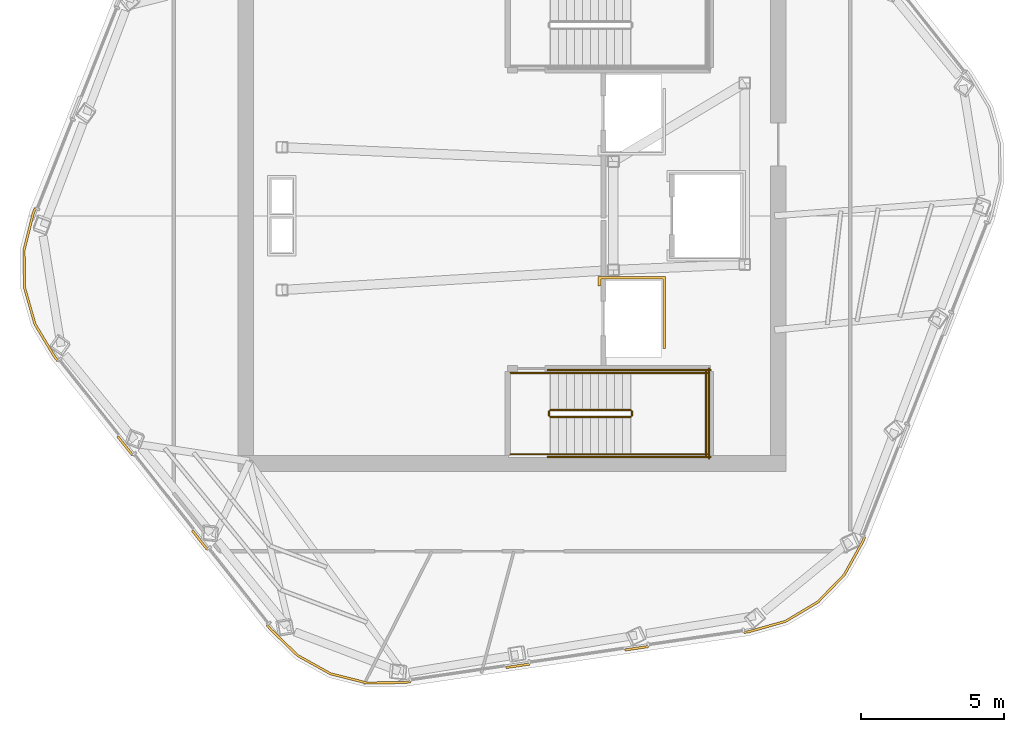
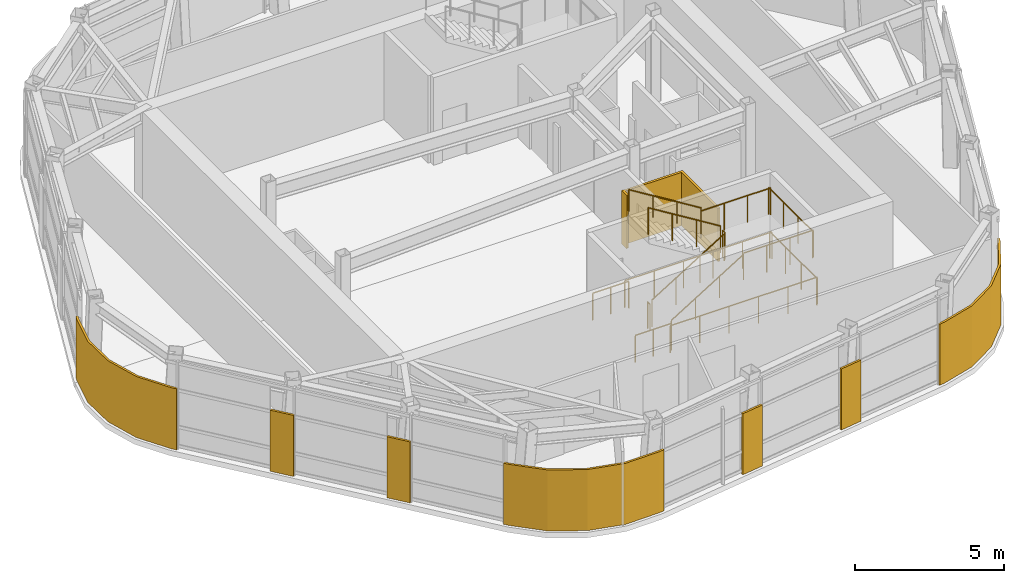
# One storey, part 7 of 9: 14 railings, 8 coverings.
"""IFC4 building model written with IfcOpenShell, lengths in metres."""

from ifc_helpers import new_model, si_unit, direction, frame, origin, origin_2d, place, context, subcontext, project, spatial, polyline, circle, outline, extrude, material, layer, layer_set, type_object, element, save


model = new_model("IFC4")

# Units and contexts
model_context = context("Model", 3, precision=1e-05, world=origin(), true_north=direction((0.0, 1.0)))
body_context = subcontext(model_context, "Body", "Model", "MODEL_VIEW")
ifc_project = project(units=[si_unit("LENGTHUNIT", "METRE"), si_unit("AREAUNIT", "SQUARE_METRE"), si_unit("VOLUMEUNIT", "CUBIC_METRE"), si_unit("PLANEANGLEUNIT", "RADIAN"), si_unit("MASSUNIT", "GRAM", prefix="KILO")], contexts=[model_context])

# Site, building, storey
site_placement = place(None, origin())
site = spatial("IfcSite", under=ifc_project, at=site_placement, CompositionType="ELEMENT")
building_placement = place(site_placement, origin())
building = spatial("IfcBuilding", under=site, at=building_placement, Name="Valkerne Bourse Tower", CompositionType="ELEMENT")
storey_placement = place(building_placement, frame((0.0, 0.0, 319.199951171875)))
storey = spatial("IfcBuildingStorey", under=building, at=storey_placement, Name="L81", CompositionType="ELEMENT", Elevation=319.199951171875)

# Coverings
ifc_material_1 = material(Name="Bronze Anodised Aluminium AA 6063-T6", Category="aluminium")
ifc_layer_1 = layer(ifc_material_1, 0.06005859375)
ifc_layer_set_1 = layer_set([ifc_layer_1], Name="Bronze Anodised Aluminium AA 6063-T6")
covering_type_1 = type_object("IfcCoveringType", Name="COV-CRN-ALUM", PredefinedType="CLADDING", material=ifc_layer_set_1)
covering_1_placement = place(storey_placement, origin())
element("IfcCovering", 1, at=covering_1_placement, inside=storey, type_object=covering_type_1, Name="L81 Wind-Shaped Corner Aluminium Cladding 04", PredefinedType="CLADDING", context=body_context, shape_type="SweptSolid", body=[
    extrude(outline(polyline([(59.119384765625, 15.571044921875), (58.468994140625, 14.402099609375), (57.54248046875, 13.4462890625), (56.400390625, 12.7626953125), (55.11376953125, 12.396240234375), (54.922607421875, 12.367919921875), (54.910888671875, 12.447021484375), (55.096923828125, 12.474609375), (56.368408203125, 12.836669921875), (57.492431640625, 13.509521484375), (58.404052734375, 14.4501953125), (59.047119140625, 15.60546875), (59.1162109375, 15.780029296875), (59.190673828125, 15.75048828125), (59.119384765625, 15.571044921875)])), origin(), (0.0, 0.0, 1.0), 2.5),
])
covering_2_placement = place(storey_placement, origin())
element("IfcCovering", 2, at=covering_2_placement, inside=storey, type_object=covering_type_1, Name="L81 Wind-Shaped Corner Aluminium Cladding 05", PredefinedType="CLADDING", context=body_context, shape_type="SweptSolid", body=[
    extrude(outline(polyline([(50.755859375, 11.752685546875), (50.744140625, 11.831787109375), (51.5751953125, 11.95458984375), (51.5869140625, 11.875244140625), (50.755859375, 11.752685546875)])), origin(), (0.0, 0.0, 1.0), 2.5),
])
covering_3_placement = place(storey_placement, origin())
element("IfcCovering", 3, at=covering_3_placement, inside=storey, type_object=covering_type_1, Name="L81 Wind-Shaped Corner Aluminium Cladding 06", PredefinedType="CLADDING", context=body_context, shape_type="SweptSolid", body=[
    extrude(outline(polyline([(46.589111328125, 11.13720703125), (46.577392578125, 11.216552734375), (47.408447265625, 11.339111328125), (47.420166015625, 11.260009765625), (46.589111328125, 11.13720703125)])), origin(), (0.0, 0.0, 1.0), 2.5),
])
covering_4_placement = place(storey_placement, origin())
element("IfcCovering", 4, at=covering_4_placement, inside=storey, type_object=covering_type_1, Name="L81 Wind-Shaped Corner Aluminium Cladding 07", PredefinedType="CLADDING", context=body_context, shape_type="SweptSolid", body=[
    extrude(outline(polyline([(43.06201171875, 10.616455078125), (41.724365234375, 10.595458984375), (40.433349609375, 10.919921875), (39.270263671875, 11.567138671875), (38.3095703125, 12.498291015625), (38.189697265625, 12.649658203125), (38.252197265625, 12.69921875), (38.368896484375, 12.552001953125), (39.318359375, 11.632080078125), (40.463134765625, 10.994873046875), (41.733642578125, 10.675537109375), (43.055419921875, 10.6962890625), (43.24169921875, 10.723876953125), (43.25341796875, 10.644775390625), (43.06201171875, 10.616455078125)])), origin(), (0.0, 0.0, 1.0), 2.5),
])
covering_5_placement = place(storey_placement, origin())
element("IfcCovering", 5, at=covering_5_placement, inside=storey, type_object=covering_type_1, Name="L81 Wind-Shaped Corner Aluminium Cladding 08", PredefinedType="CLADDING", context=body_context, shape_type="SweptSolid", body=[
    extrude(outline(polyline([(35.5732421875, 15.950439453125), (35.635986328125, 16.000244140625), (36.15771484375, 15.341796875), (36.09521484375, 15.292236328125), (35.5732421875, 15.950439453125)])), origin(), (0.0, 0.0, 1.0), 2.5),
])
covering_6_placement = place(storey_placement, origin())
element("IfcCovering", 6, at=covering_6_placement, inside=storey, type_object=covering_type_1, Name="L81 Wind-Shaped Corner Aluminium Cladding 09", PredefinedType="CLADDING", context=body_context, shape_type="SweptSolid", body=[
    extrude(outline(polyline([(32.95703125, 19.25146484375), (33.019775390625, 19.301025390625), (33.54150390625, 18.642822265625), (33.478759765625, 18.59326171875), (32.95703125, 19.25146484375)])), origin(), (0.0, 0.0, 1.0), 2.5),
])
covering_7_placement = place(storey_placement, origin())
element("IfcCovering", 7, at=covering_7_placement, inside=storey, type_object=covering_type_1, Name="L81 Wind-Shaped Corner Aluminium Cladding 10", PredefinedType="CLADDING", context=body_context, shape_type="SweptSolid", body=[
    extrude(outline(polyline([(30.742431640625, 22.04541015625), (30.055419921875, 23.193359375), (29.69091796875, 24.473388671875), (29.669921875, 25.804443359375), (29.995849609375, 27.10205078125), (30.06689453125, 27.28173828125), (30.141357421875, 27.252197265625), (30.072021484375, 27.077392578125), (29.75, 25.795166015625), (29.770751953125, 24.4853515625), (30.12939453125, 23.225341796875), (30.80859375, 22.091064453125), (30.92529296875, 21.94384765625), (30.862548828125, 21.89404296875), (30.742431640625, 22.04541015625)])), origin(), (0.0, 0.0, 1.0), 2.5),
])
ifc_material_2 = material(Name="Gypsum Shaftwall Liner Board", Category="gypsum")
ifc_layer_2 = layer(ifc_material_2, 0.080078125)
ifc_layer_set_2 = layer_set([ifc_layer_2], Name="Gypsum Shaftwall Liner Board")
covering_type_2 = type_object("IfcCoveringType", Name="COV-SHF-CLAD", PredefinedType="CLADDING", material=ifc_layer_set_2)
covering_8_placement = place(storey_placement, origin())
element("IfcCovering", 8, at=covering_8_placement, inside=storey, type_object=covering_type_2, Name="L81 Hoistway & Riser Shaftwall Liner 01", PredefinedType="CLADDING", context=body_context, shape_type="SweptSolid", body=[
    extrude(outline(polyline([(52.179931640625, 24.8798828125), (52.179931640625, 22.35009765625), (52.090087890625, 22.35009765625), (52.090087890625, 24.7900390625), (49.909912109375, 24.7900390625), (49.909912109375, 24.560791015625), (49.869384765625, 24.550537109375), (49.827880859375, 24.53564453125), (49.820068359375, 24.531982421875), (49.820068359375, 24.8798828125), (52.179931640625, 24.8798828125)])), origin(), (0.0, 0.0, 1.0), 2.179931640625),
])

# Railings
ifc_material_3 = material(Name="Galvanised Painted Steel", Category="steel")
railing_type_1 = type_object("IfcRailingType", Name="RLG-ST-GUARD-1120", PredefinedType="GUARDRAIL", material=ifc_material_3)
railing_1_placement = place(storey_placement, frame((48.14990234375, 19.949951171875, 0.1728515625)))
element("IfcRailing", 9, at=railing_1_placement, inside=storey, type_object=railing_type_1, Name="L81 ST-1 stair guard 1", PredefinedType="GUARDRAIL", context=body_context, shape_type="SweptSolid", body=[
    extrude(circle(Radius=0.02392578125, at=origin_2d()), frame((0.0, 0.0, 1.09619140625), z_axis=(0.851089632645, 0.0, 0.525020415988), x_axis=(0.0, 1.0, 0.0)), (0.0, 0.0, 1.0), 3.2900390625),
    extrude(circle(Radius=0.02099609375, at=origin_2d()), origin(), (0.0, 0.0, 1.0), 1.072021484375),
    extrude(circle(Radius=0.02099609375, at=origin_2d()), frame((0.933349609375, 0.0, 0.57568359375)), (0.0, 0.0, 1.0), 1.072021484375),
    extrude(circle(Radius=0.02099609375, at=origin_2d()), frame((1.86669921875, 0.0, 1.151611328125)), (0.0, 0.0, 1.0), 1.072021484375),
    extrude(circle(Radius=0.02099609375, at=origin_2d()), frame((2.800048828125, 0.0, 1.727294921875)), (0.0, 0.0, 1.0), 1.072021484375),
])
railing_2_placement = place(storey_placement, frame((51.0, 20.0, 1.900146484375)))
element("IfcRailing", 10, at=railing_2_placement, inside=storey, type_object=railing_type_1, Name="L81 ST-1 stair guard 2", PredefinedType="GUARDRAIL", context=body_context, shape_type="SweptSolid", body=[
    extrude(circle(Radius=0.02392578125, at=origin_2d()), frame((0.0, 0.0, 1.09619140625), z_axis=(0.0, 1.0, 0.0), x_axis=(-1.0, 0.0, 0.0)), (0.0, 0.0, 1.0), 0.14990234375),
    extrude(circle(Radius=0.02099609375, at=origin_2d()), origin(), (0.0, 0.0, 1.0), 1.072021484375),
    extrude(circle(Radius=0.02099609375, at=origin_2d()), frame((0.0, 0.14990234375, 0.0)), (0.0, 0.0, 1.0), 1.072021484375),
])
for number, where, name in (
    (11, (50.949951171875, 18.64990234375, 1.900146484375), "L81 ST-1 stair guard 3"),
    (12, (50.949951171875, 21.5, 1.900146484375), "L81 ST-1 stair guard 4"),
):
    element("IfcRailing", number, at=place(storey_placement, frame(where)), inside=storey, type_object=railing_type_1, Name=name, PredefinedType="GUARDRAIL", context=body_context, shape_type="SweptSolid", body=[
        extrude(circle(Radius=0.02392578125, at=origin_2d()), frame((0.0, 0.0, 1.09619140625), z_axis=(1.0, 0.0, 0.0), x_axis=(0.0, 1.0, 0.0)), (0.0, 0.0, 1.0), 2.699951171875),
        extrude(circle(Radius=0.02099609375, at=origin_2d()), origin(), (0.0, 0.0, 1.0), 1.072021484375),
        extrude(circle(Radius=0.02099609375, at=origin_2d()), frame((0.89990234375, 0.0, 0.0)), (0.0, 0.0, 1.0), 1.072021484375),
        extrude(circle(Radius=0.02099609375, at=origin_2d()), frame((1.800048828125, 0.0, 0.0)), (0.0, 0.0, 1.0), 1.072021484375),
        extrude(circle(Radius=0.02099609375, at=origin_2d()), frame((2.699951171875, 0.0, 0.0)), (0.0, 0.0, 1.0), 1.072021484375),
    ])
railing_3_placement = place(storey_placement, frame((53.60009765625, 18.60009765625, 1.900146484375)))
element("IfcRailing", 13, at=railing_3_placement, inside=storey, type_object=railing_type_1, Name="L81 ST-1 stair guard 5", PredefinedType="GUARDRAIL", context=body_context, shape_type="SweptSolid", body=[
    extrude(circle(Radius=0.02392578125, at=origin_2d()), frame((0.0, 0.0, 1.09619140625), z_axis=(0.0, 1.0, 0.0), x_axis=(-1.0, 0.0, 0.0)), (0.0, 0.0, 1.0), 2.949951171875),
    extrude(circle(Radius=0.02099609375, at=origin_2d()), origin(), (0.0, 0.0, 1.0), 1.072021484375),
    extrude(circle(Radius=0.02099609375, at=origin_2d()), frame((0.0, 0.9833984375, 0.0)), (0.0, 0.0, 1.0), 1.072021484375),
    extrude(circle(Radius=0.02099609375, at=origin_2d()), frame((0.0, 1.966552734375, 0.0)), (0.0, 0.0, 1.0), 1.072021484375),
    extrude(circle(Radius=0.02099609375, at=origin_2d()), frame((0.0, 2.949951171875, 0.0)), (0.0, 0.0, 1.0), 1.072021484375),
])
railing_4_placement = place(storey_placement, frame((50.949951171875, 20.199951171875, 2.07275390625)))
element("IfcRailing", 14, at=railing_4_placement, inside=storey, type_object=railing_type_1, Name="L81 ST-1 stair guard 6", PredefinedType="GUARDRAIL", context=body_context, shape_type="SweptSolid", body=[
    extrude(circle(Radius=0.02392578125, at=origin_2d()), frame((0.0, 0.0, 1.09619140625), z_axis=(-0.851089632645, 0.0, 0.525020415988), x_axis=(0.0, -1.0, 0.0)), (0.0, 0.0, 1.0), 3.2900390625),
    extrude(circle(Radius=0.02099609375, at=origin_2d()), origin(), (0.0, 0.0, 1.0), 1.072021484375),
    extrude(circle(Radius=0.02099609375, at=origin_2d()), frame((-0.933349609375, 0.0, 0.57568359375)), (0.0, 0.0, 1.0), 1.072021484375),
    extrude(circle(Radius=0.02099609375, at=origin_2d()), frame((-1.86669921875, 0.0, 1.151611328125)), (0.0, 0.0, 1.0), 1.072021484375),
    extrude(circle(Radius=0.02099609375, at=origin_2d()), frame((-2.800048828125, 0.0, 1.727294921875)), (0.0, 0.0, 1.0), 1.072021484375),
])
railing_5_placement = place(storey_placement, frame((48.10009765625, 20.0, 0.0)))
element("IfcRailing", 15, at=railing_5_placement, inside=storey, type_object=railing_type_1, Name="L81 ST-1 stair guard 7", PredefinedType="GUARDRAIL", context=body_context, shape_type="SweptSolid", body=[
    extrude(circle(Radius=0.02392578125, at=origin_2d()), frame((0.0, 0.0, 1.09619140625), z_axis=(0.0, 1.0, 0.0), x_axis=(-1.0, 0.0, 0.0)), (0.0, 0.0, 1.0), 0.14990234375),
    extrude(circle(Radius=0.02099609375, at=origin_2d()), origin(), (0.0, 0.0, 1.0), 1.072021484375),
    extrude(circle(Radius=0.02099609375, at=origin_2d()), frame((0.0, 0.14990234375, 0.0)), (0.0, 0.0, 1.0), 1.072021484375),
])
for number, where, name in (
    (16, (46.75, 18.64990234375, 0.0), "L81 ST-1 stair guard 8"),
    (17, (46.75, 21.5, 0.0), "L81 ST-1 stair guard 9"),
):
    element("IfcRailing", number, at=place(storey_placement, frame(where)), inside=storey, type_object=railing_type_1, Name=name, PredefinedType="GUARDRAIL", context=body_context, shape_type="SweptSolid", body=[
        extrude(circle(Radius=0.02392578125, at=origin_2d()), frame((0.0, 0.0, 1.09619140625), z_axis=(1.0, 0.0, 0.0), x_axis=(0.0, 1.0, 0.0)), (0.0, 0.0, 1.0), 1.39990234375),
        extrude(circle(Radius=0.02099609375, at=origin_2d()), origin(), (0.0, 0.0, 1.0), 1.072021484375),
        extrude(circle(Radius=0.02099609375, at=origin_2d()), frame((0.699951171875, 0.0, 0.0)), (0.0, 0.0, 1.0), 1.072021484375),
        extrude(circle(Radius=0.02099609375, at=origin_2d()), frame((1.39990234375, 0.0, 0.0)), (0.0, 0.0, 1.0), 1.072021484375),
    ])
for number, where, name in (
    (18, (48.050048828125, 18.550048828125, 0.0), "L81 ST-1 stair guard 10"),
    (19, (48.050048828125, 21.60009765625, 0.0), "L81 ST-1 stair guard 11"),
):
    element("IfcRailing", number, at=place(storey_placement, frame(where)), inside=storey, type_object=railing_type_1, Name=name, PredefinedType="GUARDRAIL", context=body_context, shape_type="SweptSolid", body=[
        extrude(circle(Radius=0.02392578125, at=origin_2d()), frame((0.0, 0.0, 1.09619140625), z_axis=(1.0, 0.0, 0.0), x_axis=(0.0, 1.0, 0.0)), (0.0, 0.0, 1.0), 5.699951171875),
        extrude(circle(Radius=0.02099609375, at=origin_2d()), origin(), (0.0, 0.0, 1.0), 1.072021484375),
        extrude(circle(Radius=0.02099609375, at=origin_2d()), frame((1.139892578125, 0.0, 0.0)), (0.0, 0.0, 1.0), 1.072021484375),
        extrude(circle(Radius=0.02099609375, at=origin_2d()), frame((2.280029296875, 0.0, 0.0)), (0.0, 0.0, 1.0), 1.072021484375),
        extrude(circle(Radius=0.02099609375, at=origin_2d()), frame((3.419921875, 0.0, 0.0)), (0.0, 0.0, 1.0), 1.072021484375),
        extrude(circle(Radius=0.02099609375, at=origin_2d()), frame((4.56005859375, 0.0, 0.0)), (0.0, 0.0, 1.0), 1.072021484375),
        extrude(circle(Radius=0.02099609375, at=origin_2d()), frame((5.699951171875, 0.0, 0.0)), (0.0, 0.0, 1.0), 1.072021484375),
    ])
railing_6_placement = place(storey_placement, frame((53.699951171875, 18.5, 0.0)))
element("IfcRailing", 20, at=railing_6_placement, inside=storey, type_object=railing_type_1, Name="L81 ST-1 stair guard 12", PredefinedType="GUARDRAIL", context=body_context, shape_type="SweptSolid", body=[
    extrude(circle(Radius=0.02392578125, at=origin_2d()), frame((0.0, 0.0, 1.09619140625), z_axis=(0.0, 1.0, 0.0), x_axis=(-1.0, 0.0, 0.0)), (0.0, 0.0, 1.0), 3.14990234375),
    extrude(circle(Radius=0.02099609375, at=origin_2d()), origin(), (0.0, 0.0, 1.0), 1.072021484375),
    extrude(circle(Radius=0.02099609375, at=origin_2d()), frame((0.0, 1.050048828125, 0.0)), (0.0, 0.0, 1.0), 1.072021484375),
    extrude(circle(Radius=0.02099609375, at=origin_2d()), frame((0.0, 2.099853515625, 0.0)), (0.0, 0.0, 1.0), 1.072021484375),
    extrude(circle(Radius=0.02099609375, at=origin_2d()), frame((0.0, 3.14990234375, 0.0)), (0.0, 0.0, 1.0), 1.072021484375),
])
ifc_material_4 = material(Name="Stainless Steel AISI 316", Category="steel")
railing_type_2 = type_object("IfcRailingType", Name="RLG-ST-HANDRAIL-900", PredefinedType="HANDRAIL", material=ifc_material_4)
railing_7_placement = place(storey_placement, frame((48.14990234375, 18.64990234375, 0.345458984375)))
element("IfcRailing", 21, at=railing_7_placement, inside=storey, type_object=railing_type_2, Name="L81 ST-1 stair handrail 1", PredefinedType="HANDRAIL", context=body_context, shape_type="SweptSolid", body=[
    extrude(circle(Radius=0.02392578125, at=origin_2d()), frame((0.0, 0.0, 0.8759765625), z_axis=(0.851089632645, 0.0, 0.525020415988), x_axis=(0.0, 1.0, 0.0)), (0.0, 0.0, 1.0), 3.2900390625),
    extrude(circle(Radius=0.02099609375, at=origin_2d()), origin(), (0.0, 0.0, 1.0), 0.851806640625),
    extrude(circle(Radius=0.02099609375, at=origin_2d()), frame((0.933349609375, 0.0, 0.57568359375)), (0.0, 0.0, 1.0), 0.851806640625),
    extrude(circle(Radius=0.02099609375, at=origin_2d()), frame((1.86669921875, 0.0, 1.151611328125)), (0.0, 0.0, 1.0), 0.851806640625),
    extrude(circle(Radius=0.02099609375, at=origin_2d()), frame((2.800048828125, 0.0, 1.727294921875)), (0.0, 0.0, 1.0), 0.851806640625),
])
railing_8_placement = place(storey_placement, frame((50.949951171875, 21.5, 2.24560546875)))
element("IfcRailing", 22, at=railing_8_placement, inside=storey, type_object=railing_type_2, Name="L81 ST-1 stair handrail 2", PredefinedType="HANDRAIL", context=body_context, shape_type="SweptSolid", body=[
    extrude(circle(Radius=0.02392578125, at=origin_2d()), frame((0.0, 0.0, 0.8759765625), z_axis=(-0.851122791225, 0.0, 0.524966660138), x_axis=(0.0, -1.0, 0.0)), (0.0, 0.0, 1.0), 3.289794921875),
    extrude(circle(Radius=0.02099609375, at=origin_2d()), origin(), (0.0, 0.0, 1.0), 0.851806640625),
    extrude(circle(Radius=0.02099609375, at=origin_2d()), frame((-0.933349609375, 0.0, 0.57568359375)), (0.0, 0.0, 1.0), 0.851806640625),
    extrude(circle(Radius=0.02099609375, at=origin_2d()), frame((-1.86669921875, 0.0, 1.1513671875)), (0.0, 0.0, 1.0), 0.851806640625),
    extrude(circle(Radius=0.02099609375, at=origin_2d()), frame((-2.800048828125, 0.0, 1.72705078125)), (0.0, 0.0, 1.0), 0.851806640625),
])

save(model, "model.ifc")
